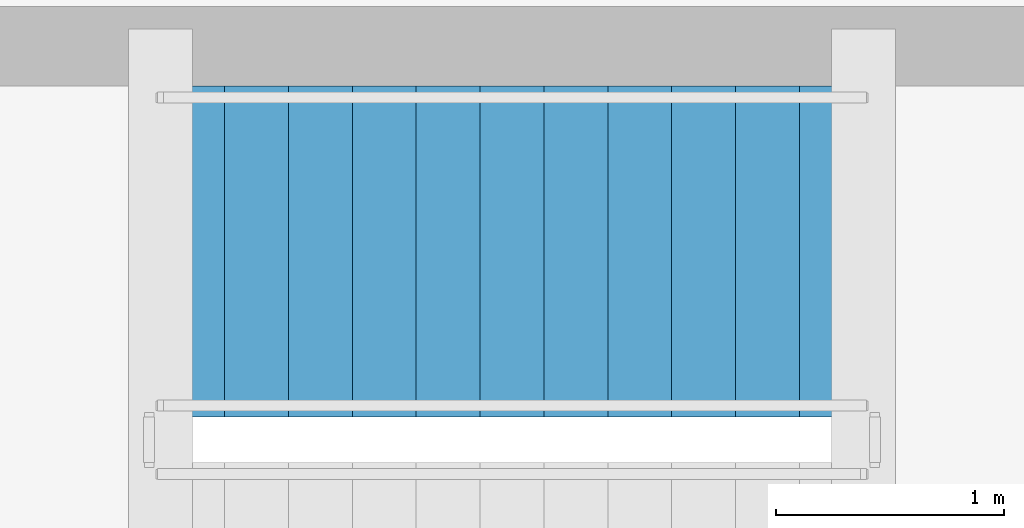
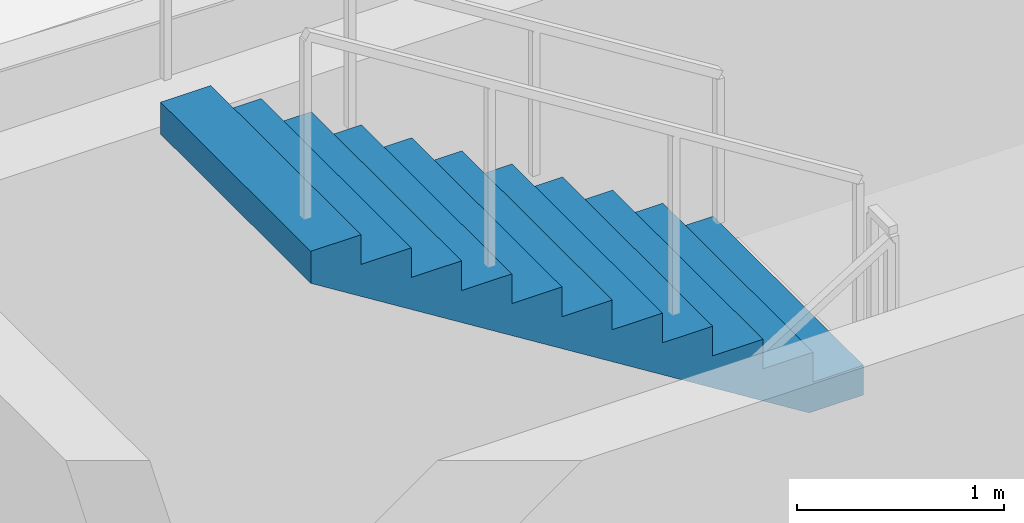
# One storey, part 6 of 8: 1 stair flight, 1 element without a shape of its own.
"""IFC4 building model written with IfcOpenShell, lengths in metres."""

from ifc_helpers import new_model, si_unit, direction, frame, origin, place, context, subcontext, project, spatial, polyline, outline, extrude, material, type_object, element, aggregate, save


model = new_model("IFC4")

# Units and contexts
model_context = context("Model", 3, precision=1e-05, world=origin(), true_north=direction((0.0, 1.0)))
body_context = subcontext(model_context, "Body", "Model", "MODEL_VIEW")
ifc_project = project(units=[si_unit("LENGTHUNIT", "METRE"), si_unit("AREAUNIT", "SQUARE_METRE"), si_unit("VOLUMEUNIT", "CUBIC_METRE"), si_unit("PLANEANGLEUNIT", "RADIAN"), si_unit("MASSUNIT", "GRAM", prefix="KILO")], contexts=[model_context])

# Site, building, storey
site_placement = place(None, origin())
site = spatial("IfcSite", under=ifc_project, at=site_placement, CompositionType="ELEMENT")
building_placement = place(site_placement, origin())
building = spatial("IfcBuilding", under=site, at=building_placement, Name="Korentha Bioscience Tower", CompositionType="ELEMENT")
storey_placement = place(building_placement, frame((0.0, 0.0, 331.199951171875)))
storey = spatial("IfcBuildingStorey", under=building, at=storey_placement, Name="L76", CompositionType="ELEMENT", Elevation=331.199951171875)

# Stair, stair flight
ifc_material = material(Name="Precast Concrete C50", Category="concrete")
stair_type = type_object("IfcStairType", Name="Core Exit Dog-Leg Stair 1450", PredefinedType="HALF_TURN_STAIR", material=ifc_material)
stair_placement = place(storey_placement, origin())
stair = element("IfcStair", 1, at=stair_placement, inside=storey, type_object=stair_type, Name="L76 Tower North Pressurized Exit Stair ST-1", PredefinedType="HALF_TURN_STAIR")
stair_flight_type = type_object("IfcStairFlightType", Name="Core Exit Dog-Leg Stair 1450 Flight", PredefinedType="STRAIGHT", material=ifc_material)
stair_flight_placement = place(storey_placement, frame((33.330078125, 34.47509765625, 2.10009765625), z_axis=(0.0, 0.0, 1.0), x_axis=(-1.0, 0.0, 0.0)))
stair_flight = element("IfcStairFlight", 2, at=stair_flight_placement, type_object=stair_flight_type, Name="ST-1 flight 2", NumberOfRisers=12, NumberOfTreads=11, PredefinedType="STRAIGHT", RiserHeight=0.175, TreadLength=0.28, context=body_context, shape_type="SweptSolid", body=[
    extrude(outline(polyline([(0.0, 0.0), (0.0, 0.175048828125), (0.280029296875, 0.175048828125), (0.280029296875, 0.35009765625), (0.56005859375, 0.35009765625), (0.56005859375, 0.52490234375), (0.840087890625, 0.52490234375), (0.840087890625, 0.699951171875), (1.1201171875, 0.699951171875), (1.1201171875, 0.875), (1.39990234375, 0.875), (1.39990234375, 1.050048828125), (1.679931640625, 1.050048828125), (1.679931640625, 1.22509765625), (1.9599609375, 1.22509765625), (1.9599609375, 1.39990234375), (2.239990234375, 1.39990234375), (2.239990234375, 1.574951171875), (2.52001953125, 1.574951171875), (2.52001953125, 1.75), (2.800048828125, 1.75), (2.800048828125, 1.925048828125), (3.080078125, 1.925048828125), (3.080078125, 2.10009765625), (3.080078125, 1.736328125), (0.3017578125, 0.0), (0.0, 0.0)])), frame((0.0, 0.72509765625, 0.0), z_axis=(0.0, -1.0, 0.0), x_axis=(1.0, 0.0, 0.0)), (0.0, 0.0, 1.0), 1.449951171875),
])
aggregate(stair, [stair_flight])

save(model, "model.ifc")
